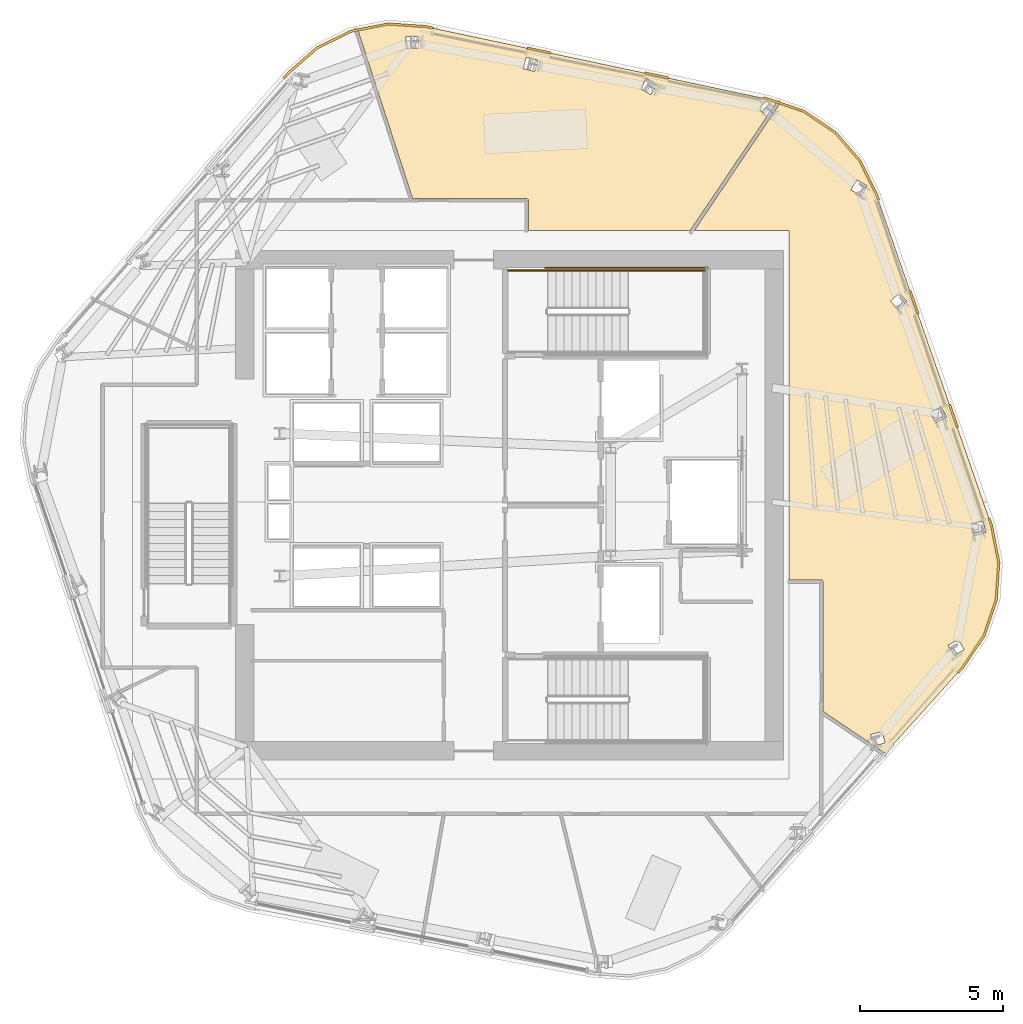
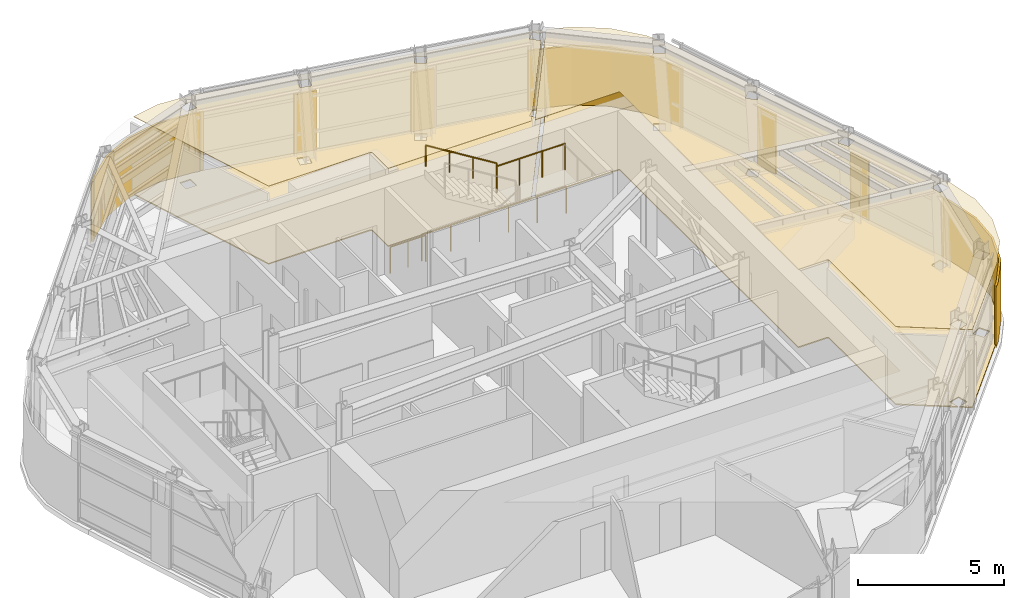
# One storey, part 11 of 12: 11 coverings, 4 railings.
"""IFC4 building model written with IfcOpenShell, lengths in metres."""

from ifc_helpers import new_model, si_unit, direction, frame, origin, origin_2d, place, context, subcontext, project, spatial, polyline, circle, outline, extrude, material, layer, layer_set, type_object, element, save


model = new_model("IFC4")

# Units and contexts
model_context = context("Model", 3, precision=1e-05, world=origin(), true_north=direction((0.0, 1.0)))
body_context = subcontext(model_context, "Body", "Model", "MODEL_VIEW")
ifc_project = project(units=[si_unit("LENGTHUNIT", "METRE"), si_unit("AREAUNIT", "SQUARE_METRE"), si_unit("VOLUMEUNIT", "CUBIC_METRE"), si_unit("PLANEANGLEUNIT", "RADIAN"), si_unit("MASSUNIT", "GRAM", prefix="KILO")], contexts=[model_context])

# Site, building, storey
site_placement = place(None, origin())
site = spatial("IfcSite", under=ifc_project, at=site_placement, CompositionType="ELEMENT")
building_placement = place(site_placement, origin())
building = spatial("IfcBuilding", under=site, at=building_placement, Name="Valkerne Bourse Tower", CompositionType="ELEMENT")
storey_placement = place(building_placement, frame((0.0, 0.0, 232.199951171875)))
storey = spatial("IfcBuildingStorey", under=building, at=storey_placement, Name="L59", CompositionType="ELEMENT", Elevation=232.199951171875)

# Coverings
ifc_material_1 = material(Name="Mineral Fiber Acoustic Ceiling Tile", Category="acoustic")
ifc_layer_1 = layer(ifc_material_1, 0.02490234375)
ifc_layer_set_1 = layer_set([ifc_layer_1], Name="Mineral Fiber Acoustic Ceiling Tile")
covering_type_1 = type_object("IfcCoveringType", Name="COV-CEIL-ACT", PredefinedType="CEILING", material=ifc_layer_set_1)
covering_1_placement = place(storey_placement, frame((0.0, 0.0, 3.25)))
element("IfcCovering", 1, at=covering_1_placement, inside=storey, type_object=covering_type_1, Name="L59 Suspended Ceiling 10", PredefinedType="CEILING", context=body_context, shape_type="SweptSolid", body=[
    extrude(outline(polyline([(55.8544921875, 41.106201171875), (56.162109375, 41.001220703125), (56.046875, 40.830078125), (55.812255859375, 41.064208984375), (55.810302734375, 41.0654296875), (55.51953125, 40.773681640625), (55.81201171875, 40.481689453125), (55.81201171875, 40.481689453125), (53.12939453125, 36.5), (47.468994140625, 36.5), (47.468994140625, 37.5634765625), (47.455078125, 37.601806640625), (47.41748046875, 37.626953125), (43.408447265625, 37.62890625), (41.491455078125, 43.52880859375), (42.548095703125, 43.736083984375), (43.873291015625, 43.645751953125), (55.8544921875, 41.106201171875)]), holes=[polyline([(43.601806640625, 42.89794921875), (43.599853515625, 43.309814453125), (43.186279296875, 43.308349609375), (43.18408203125, 43.307861328125), (43.185791015625, 42.89599609375), (43.599365234375, 42.8974609375), (43.601806640625, 42.89794921875)]), polyline([(51.598388671875, 41.831298828125), (51.596435546875, 41.832275390625), (51.388916015625, 41.476318359375), (51.74609375, 41.267822265625), (51.748291015625, 41.26708984375), (51.955810546875, 41.622802734375), (51.598388671875, 41.831298828125)]), polyline([(47.785400390625, 42.473876953125), (47.384765625, 42.577392578125), (47.382568359375, 42.577392578125), (47.280029296875, 42.178466796875), (47.680419921875, 42.0751953125), (47.6826171875, 42.074951171875), (47.785400390625, 42.473876953125)])]), origin(), (0.0, 0.0, 1.0), 0.025146484375),
])
covering_2_placement = place(storey_placement, frame((0.0, 0.0, 3.25)))
element("IfcCovering", 2, at=covering_2_placement, inside=storey, type_object=covering_type_1, Name="L59 Suspended Ceiling 11", PredefinedType="CEILING", context=body_context, shape_type="SweptSolid", body=[
    extrude(outline(polyline([(63.419921875, 22.314208984375), (62.678955078125, 21.211669921875), (59.96337890625, 18.1923828125), (59.5791015625, 18.451416015625), (59.9599609375, 18.556884765625), (59.961181640625, 18.558837890625), (59.849853515625, 18.95751953125), (59.453369140625, 18.847900390625), (59.4521484375, 18.845947265625), (59.55810546875, 18.465576171875), (57.7890625, 19.658935546875), (57.786865234375, 24.217529296875), (57.76171875, 24.255126953125), (57.723388671875, 24.268798828125), (56.60009765625, 24.26904296875), (56.60009765625, 36.5), (53.271728515625, 36.5), (56.277587890625, 40.96142578125), (57.112548828125, 40.675537109375), (58.2080078125, 39.939697265625), (59.0751953125, 38.9453125), (59.660400390625, 37.751220703125), (63.68115234375, 26.1826171875), (63.93701171875, 24.879150390625), (63.84716796875, 23.562744140625), (63.419921875, 22.314208984375)]), holes=[polyline([(62.731689453125, 21.82470703125), (62.522705078125, 22.182373046875), (62.1669921875, 21.9755859375), (62.16650390625, 21.973388671875), (62.375244140625, 21.615966796875), (62.73095703125, 21.822509765625), (62.731689453125, 21.82470703125)]), polyline([(63.4873046875, 25.935791015625), (63.487548828125, 25.938232421875), (63.38037109375, 26.335205078125), (62.980224609375, 26.2275390625), (62.97998046875, 26.22509765625), (63.087158203125, 25.828369140625), (63.4873046875, 25.935791015625)]), polyline([(62.118408203125, 29.98046875), (61.9140625, 30.33740234375), (61.55419921875, 30.132080078125), (61.5546875, 30.1298828125), (61.7587890625, 29.77294921875), (62.118896484375, 29.978271484375), (62.118408203125, 29.98046875)]), polyline([(60.730712890625, 34.033447265625), (60.43701171875, 34.3212890625), (60.146728515625, 34.025634765625), (60.147705078125, 34.023681640625), (60.44140625, 33.73583984375), (60.731689453125, 34.031494140625), (60.730712890625, 34.033447265625)]), polyline([(59.32275390625, 38.080810546875), (58.9658203125, 38.28466796875), (58.759765625, 37.92529296875), (58.76123046875, 37.92333984375), (59.1181640625, 37.719482421875), (59.32421875, 38.078857421875), (59.32275390625, 38.080810546875)])]), origin(), (0.0, 0.0, 1.0), 0.025146484375),
])
ifc_material_2 = material(Name="Bronze Anodised Aluminium AA 6063-T6", Category="aluminium")
ifc_layer_2 = layer(ifc_material_2, 0.06005859375)
ifc_layer_set_2 = layer_set([ifc_layer_2], Name="Bronze Anodised Aluminium AA 6063-T6")
covering_type_2 = type_object("IfcCoveringType", Name="COV-CRN-ALUM", PredefinedType="CLADDING", material=ifc_layer_set_2)
covering_3_placement = place(storey_placement, origin())
element("IfcCovering", 3, at=covering_3_placement, inside=storey, type_object=covering_type_2, Name="L59 Wind-Shaped Corner Aluminium Cladding 01", PredefinedType="CLADDING", context=body_context, shape_type="SweptSolid", body=[
    extrude(outline(polyline([(63.981201171875, 24.882080078125), (63.890625, 23.553955078125), (63.459716796875, 22.29443359375), (62.713623046875, 21.1845703125), (62.4365234375, 20.87646484375), (62.5361328125, 20.989501953125), (62.477294921875, 21.04150390625), (62.650390625, 21.23388671875), (63.38720703125, 22.330322265625), (63.8115234375, 23.56982421875), (63.900634765625, 24.876953125), (63.646484375, 26.17333984375), (63.561279296875, 26.417724609375), (63.635986328125, 26.44287109375), (63.588623046875, 26.58349609375), (63.723876953125, 26.194091796875), (63.981201171875, 24.882080078125)])), origin(), (0.0, 0.0, 1.0), 2.5),
])
covering_4_placement = place(storey_placement, origin())
element("IfcCovering", 4, at=covering_4_placement, inside=storey, type_object=covering_type_2, Name="L59 Wind-Shaped Corner Aluminium Cladding 13", PredefinedType="CLADDING", context=body_context, shape_type="SweptSolid", body=[
    extrude(outline(polyline([(39.035888671875, 42.059326171875), (40.043701171875, 42.9384765625), (41.239013671875, 43.52392578125), (42.545166015625, 43.7802734375), (43.87939453125, 43.689453125), (44.28564453125, 43.603271484375), (44.13720703125, 43.63330078125), (44.12158203125, 43.556396484375), (43.868408203125, 43.610107421875), (42.55029296875, 43.69970703125), (41.264892578125, 43.447509765625), (40.08837890625, 42.87109375), (39.0927734375, 42.002685546875), (38.923583984375, 41.806884765625), (38.864501953125, 41.85888671875), (38.765625, 41.74658203125), (39.035888671875, 42.059326171875)])), origin(), (0.0, 0.0, 1.0), 2.5),
])
covering_5_placement = place(storey_placement, origin())
element("IfcCovering", 5, at=covering_5_placement, inside=storey, type_object=covering_type_2, Name="L59 Wind-Shaped Corner Aluminium Cladding 14", PredefinedType="CLADDING", context=body_context, shape_type="SweptSolid", body=[
    extrude(outline(polyline([(48.258056640625, 42.761474609375), (48.2421875, 42.682861328125), (47.42041015625, 42.857177734375), (47.436279296875, 42.935546875), (48.258056640625, 42.761474609375)])), origin(), (0.0, 0.0, 1.0), 2.5),
])
covering_6_placement = place(storey_placement, origin())
element("IfcCovering", 6, at=covering_6_placement, inside=storey, type_object=covering_type_2, Name="L59 Wind-Shaped Corner Aluminium Cladding 15", PredefinedType="CLADDING", context=body_context, shape_type="SweptSolid", body=[
    extrude(outline(polyline([(52.37890625, 41.887939453125), (52.363037109375, 41.8095703125), (51.541259765625, 41.983642578125), (51.556884765625, 42.062255859375), (52.37890625, 41.887939453125)])), origin(), (0.0, 0.0, 1.0), 2.5),
])
covering_7_placement = place(storey_placement, origin())
element("IfcCovering", 7, at=covering_7_placement, inside=storey, type_object=covering_type_2, Name="L59 Wind-Shaped Corner Aluminium Cladding 16", PredefinedType="CLADDING", context=body_context, shape_type="SweptSolid", body=[
    extrude(outline(polyline([(55.8662109375, 41.148681640625), (57.13232421875, 40.71533203125), (58.2373046875, 39.972900390625), (59.1123046875, 38.969970703125), (59.700927734375, 37.76806640625), (59.764404296875, 37.5859375), (59.6884765625, 37.560546875), (59.627197265625, 37.7373046875), (59.045166015625, 38.92529296875), (58.183837890625, 39.912353515625), (57.096435546875, 40.64306640625), (55.844970703125, 41.071533203125), (55.661865234375, 41.1103515625), (55.677734375, 41.188720703125), (55.8662109375, 41.148681640625)])), origin(), (0.0, 0.0, 1.0), 2.5),
])
covering_8_placement = place(storey_placement, origin())
element("IfcCovering", 8, at=covering_8_placement, inside=storey, type_object=covering_type_2, Name="L59 Wind-Shaped Corner Aluminium Cladding 17", PredefinedType="CLADDING", context=body_context, shape_type="SweptSolid", body=[
    extrude(outline(polyline([(61.147216796875, 33.607421875), (61.0712890625, 33.581787109375), (60.795654296875, 34.375244140625), (60.871337890625, 34.40087890625), (61.147216796875, 33.607421875)])), origin(), (0.0, 0.0, 1.0), 2.5),
])
covering_9_placement = place(storey_placement, origin())
element("IfcCovering", 9, at=covering_9_placement, inside=storey, type_object=covering_type_2, Name="L59 Wind-Shaped Corner Aluminium Cladding 18", PredefinedType="CLADDING", context=body_context, shape_type="SweptSolid", body=[
    extrude(outline(polyline([(62.530029296875, 29.628662109375), (62.454345703125, 29.60302734375), (62.178466796875, 30.396484375), (62.25439453125, 30.422119140625), (62.530029296875, 29.628662109375)])), origin(), (0.0, 0.0, 1.0), 2.5),
])
ifc_material_3 = material(Name="Galvanised Painted Steel", Category="steel")
ifc_layer_3 = layer(ifc_material_3, 0.044921875)
ifc_layer_set_3 = layer_set([ifc_layer_3], Name="Galvanised Painted Steel")
covering_type_3 = type_object("IfcCoveringType", Name="COV-FLR-RAF", PredefinedType="FLOORING", material=ifc_layer_set_3)
covering_10_placement = place(storey_placement, origin())
element("IfcCovering", 10, at=covering_10_placement, inside=storey, type_object=covering_type_3, Name="L59 Floor Finish 10", PredefinedType="FLOORING", context=body_context, shape_type="SweptSolid", body=[
    extrude(outline(polyline([(55.8544921875, 41.106201171875), (56.162109375, 41.001220703125), (56.046875, 40.830078125), (55.812255859375, 41.064208984375), (55.810302734375, 41.0654296875), (55.51953125, 40.773681640625), (55.81201171875, 40.481689453125), (55.81201171875, 40.481689453125), (53.12939453125, 36.5), (47.468994140625, 36.5), (47.468994140625, 37.5634765625), (47.455078125, 37.601806640625), (47.41748046875, 37.626953125), (43.408447265625, 37.62890625), (41.491455078125, 43.52880859375), (42.548095703125, 43.736083984375), (43.873291015625, 43.645751953125), (55.8544921875, 41.106201171875)]), holes=[polyline([(43.601806640625, 42.89794921875), (43.599853515625, 43.309814453125), (43.186279296875, 43.308349609375), (43.18408203125, 43.307861328125), (43.185791015625, 42.89599609375), (43.599365234375, 42.8974609375), (43.601806640625, 42.89794921875)]), polyline([(51.598388671875, 41.831298828125), (51.596435546875, 41.832275390625), (51.388916015625, 41.476318359375), (51.74609375, 41.267822265625), (51.748291015625, 41.26708984375), (51.955810546875, 41.622802734375), (51.598388671875, 41.831298828125)]), polyline([(47.785400390625, 42.473876953125), (47.384765625, 42.577392578125), (47.382568359375, 42.577392578125), (47.280029296875, 42.178466796875), (47.680419921875, 42.0751953125), (47.6826171875, 42.074951171875), (47.785400390625, 42.473876953125)])]), origin(), (0.0, 0.0, 1.0), 0.045166015625),
])
covering_11_placement = place(storey_placement, origin())
element("IfcCovering", 11, at=covering_11_placement, inside=storey, type_object=covering_type_3, Name="L59 Floor Finish 11", PredefinedType="FLOORING", context=body_context, shape_type="SweptSolid", body=[
    extrude(outline(polyline([(63.419921875, 22.314208984375), (62.678955078125, 21.211669921875), (59.96337890625, 18.1923828125), (59.5791015625, 18.451416015625), (59.9599609375, 18.556884765625), (59.961181640625, 18.558837890625), (59.849853515625, 18.95751953125), (59.453369140625, 18.847900390625), (59.4521484375, 18.845947265625), (59.55810546875, 18.465576171875), (57.7890625, 19.658935546875), (57.786865234375, 24.217529296875), (57.76171875, 24.255126953125), (57.723388671875, 24.268798828125), (56.60009765625, 24.26904296875), (56.60009765625, 36.5), (53.271728515625, 36.5), (56.277587890625, 40.96142578125), (57.112548828125, 40.675537109375), (58.2080078125, 39.939697265625), (59.0751953125, 38.9453125), (59.660400390625, 37.751220703125), (63.68115234375, 26.1826171875), (63.93701171875, 24.879150390625), (63.84716796875, 23.562744140625), (63.419921875, 22.314208984375)]), holes=[polyline([(62.731689453125, 21.82470703125), (62.522705078125, 22.182373046875), (62.1669921875, 21.9755859375), (62.16650390625, 21.973388671875), (62.375244140625, 21.615966796875), (62.73095703125, 21.822509765625), (62.731689453125, 21.82470703125)]), polyline([(63.4873046875, 25.935791015625), (63.487548828125, 25.938232421875), (63.38037109375, 26.335205078125), (62.980224609375, 26.2275390625), (62.97998046875, 26.22509765625), (63.087158203125, 25.828369140625), (63.4873046875, 25.935791015625)]), polyline([(62.118408203125, 29.98046875), (61.9140625, 30.33740234375), (61.55419921875, 30.132080078125), (61.5546875, 30.1298828125), (61.7587890625, 29.77294921875), (62.118896484375, 29.978271484375), (62.118408203125, 29.98046875)]), polyline([(60.730712890625, 34.033447265625), (60.43701171875, 34.3212890625), (60.146728515625, 34.025634765625), (60.147705078125, 34.023681640625), (60.44140625, 33.73583984375), (60.731689453125, 34.031494140625), (60.730712890625, 34.033447265625)]), polyline([(59.32275390625, 38.080810546875), (58.9658203125, 38.28466796875), (58.759765625, 37.92529296875), (58.76123046875, 37.92333984375), (59.1181640625, 37.719482421875), (59.32421875, 38.078857421875), (59.32275390625, 38.080810546875)])]), origin(), (0.0, 0.0, 1.0), 0.045166015625),
])

# Railings
railing_type_1 = type_object("IfcRailingType", Name="RLG-ST-GUARD-1120", PredefinedType="GUARDRAIL", material=ifc_material_3)
railing_1_placement = place(storey_placement, frame((50.949951171875, 35.10009765625, 1.900146484375)))
element("IfcRailing", 12, at=railing_1_placement, inside=storey, type_object=railing_type_1, Name="L59 ST-2 stair guard 4", PredefinedType="GUARDRAIL", context=body_context, shape_type="SweptSolid", body=[
    extrude(circle(Radius=0.02392578125, at=origin_2d()), frame((0.0, 0.0, 1.09619140625), z_axis=(1.0, 0.0, 0.0), x_axis=(0.0, 1.0, 0.0)), (0.0, 0.0, 1.0), 2.699951171875),
    extrude(circle(Radius=0.02099609375, at=origin_2d()), origin(), (0.0, 0.0, 1.0), 1.072021484375),
    extrude(circle(Radius=0.02099609375, at=origin_2d()), frame((0.89990234375, 0.0, 0.0)), (0.0, 0.0, 1.0), 1.072021484375),
    extrude(circle(Radius=0.02099609375, at=origin_2d()), frame((1.800048828125, 0.0, 0.0)), (0.0, 0.0, 1.0), 1.072021484375),
    extrude(circle(Radius=0.02099609375, at=origin_2d()), frame((2.699951171875, 0.0, 0.0)), (0.0, 0.0, 1.0), 1.072021484375),
])
railing_2_placement = place(storey_placement, frame((46.75, 35.10009765625, 0.0)))
element("IfcRailing", 13, at=railing_2_placement, inside=storey, type_object=railing_type_1, Name="L59 ST-2 stair guard 9", PredefinedType="GUARDRAIL", context=body_context, shape_type="SweptSolid", body=[
    extrude(circle(Radius=0.02392578125, at=origin_2d()), frame((0.0, 0.0, 1.09619140625), z_axis=(1.0, 0.0, 0.0), x_axis=(0.0, 1.0, 0.0)), (0.0, 0.0, 1.0), 1.39990234375),
    extrude(circle(Radius=0.02099609375, at=origin_2d()), origin(), (0.0, 0.0, 1.0), 1.072021484375),
    extrude(circle(Radius=0.02099609375, at=origin_2d()), frame((0.699951171875, 0.0, 0.0)), (0.0, 0.0, 1.0), 1.072021484375),
    extrude(circle(Radius=0.02099609375, at=origin_2d()), frame((1.39990234375, 0.0, 0.0)), (0.0, 0.0, 1.0), 1.072021484375),
])
railing_3_placement = place(storey_placement, frame((48.050048828125, 35.199951171875, 0.0)))
element("IfcRailing", 14, at=railing_3_placement, inside=storey, type_object=railing_type_1, Name="L59 ST-2 stair guard 11", PredefinedType="GUARDRAIL", context=body_context, shape_type="SweptSolid", body=[
    extrude(circle(Radius=0.02392578125, at=origin_2d()), frame((0.0, 0.0, 1.09619140625), z_axis=(1.0, 0.0, 0.0), x_axis=(0.0, 1.0, 0.0)), (0.0, 0.0, 1.0), 5.699951171875),
    extrude(circle(Radius=0.02099609375, at=origin_2d()), origin(), (0.0, 0.0, 1.0), 1.072021484375),
    extrude(circle(Radius=0.02099609375, at=origin_2d()), frame((1.139892578125, 0.0, 0.0)), (0.0, 0.0, 1.0), 1.072021484375),
    extrude(circle(Radius=0.02099609375, at=origin_2d()), frame((2.280029296875, 0.0, 0.0)), (0.0, 0.0, 1.0), 1.072021484375),
    extrude(circle(Radius=0.02099609375, at=origin_2d()), frame((3.419921875, 0.0, 0.0)), (0.0, 0.0, 1.0), 1.072021484375),
    extrude(circle(Radius=0.02099609375, at=origin_2d()), frame((4.56005859375, 0.0, 0.0)), (0.0, 0.0, 1.0), 1.072021484375),
    extrude(circle(Radius=0.02099609375, at=origin_2d()), frame((5.699951171875, 0.0, 0.0)), (0.0, 0.0, 1.0), 1.072021484375),
])
ifc_material_4 = material(Name="Stainless Steel AISI 316", Category="steel")
railing_type_2 = type_object("IfcRailingType", Name="RLG-ST-HANDRAIL-900", PredefinedType="HANDRAIL", material=ifc_material_4)
railing_4_placement = place(storey_placement, frame((50.949951171875, 35.10009765625, 2.24560546875)))
element("IfcRailing", 15, at=railing_4_placement, inside=storey, type_object=railing_type_2, Name="L59 ST-2 stair handrail 2", PredefinedType="HANDRAIL", context=body_context, shape_type="SweptSolid", body=[
    extrude(circle(Radius=0.02392578125, at=origin_2d()), frame((0.0, 0.0, 0.8759765625), z_axis=(-0.851122791225, 0.0, 0.524966660138), x_axis=(0.0, -1.0, 0.0)), (0.0, 0.0, 1.0), 3.289794921875),
    extrude(circle(Radius=0.02099609375, at=origin_2d()), origin(), (0.0, 0.0, 1.0), 0.851806640625),
    extrude(circle(Radius=0.02099609375, at=origin_2d()), frame((-0.933349609375, 0.0, 0.57568359375)), (0.0, 0.0, 1.0), 0.851806640625),
    extrude(circle(Radius=0.02099609375, at=origin_2d()), frame((-1.86669921875, 0.0, 1.1513671875)), (0.0, 0.0, 1.0), 0.851806640625),
    extrude(circle(Radius=0.02099609375, at=origin_2d()), frame((-2.800048828125, 0.0, 1.72705078125)), (0.0, 0.0, 1.0), 0.851806640625),
])

save(model, "model.ifc")
